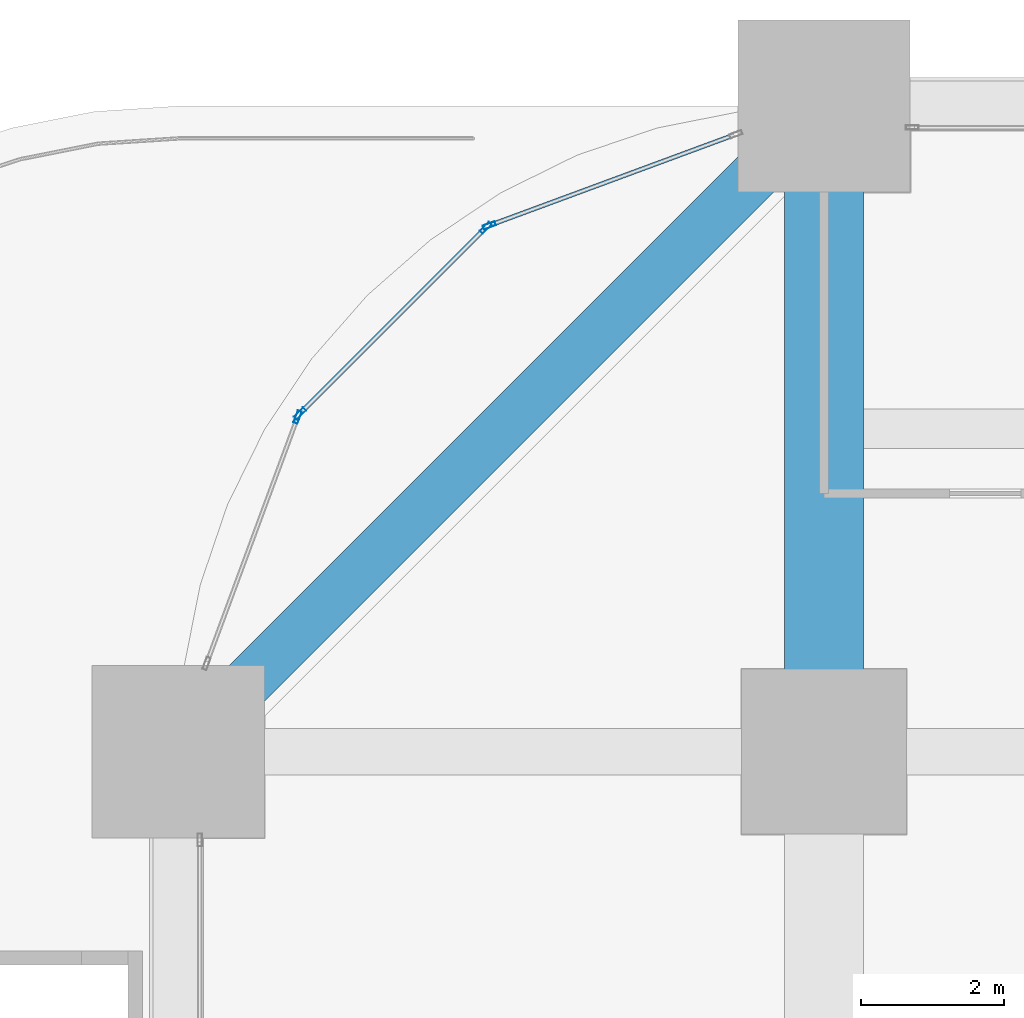
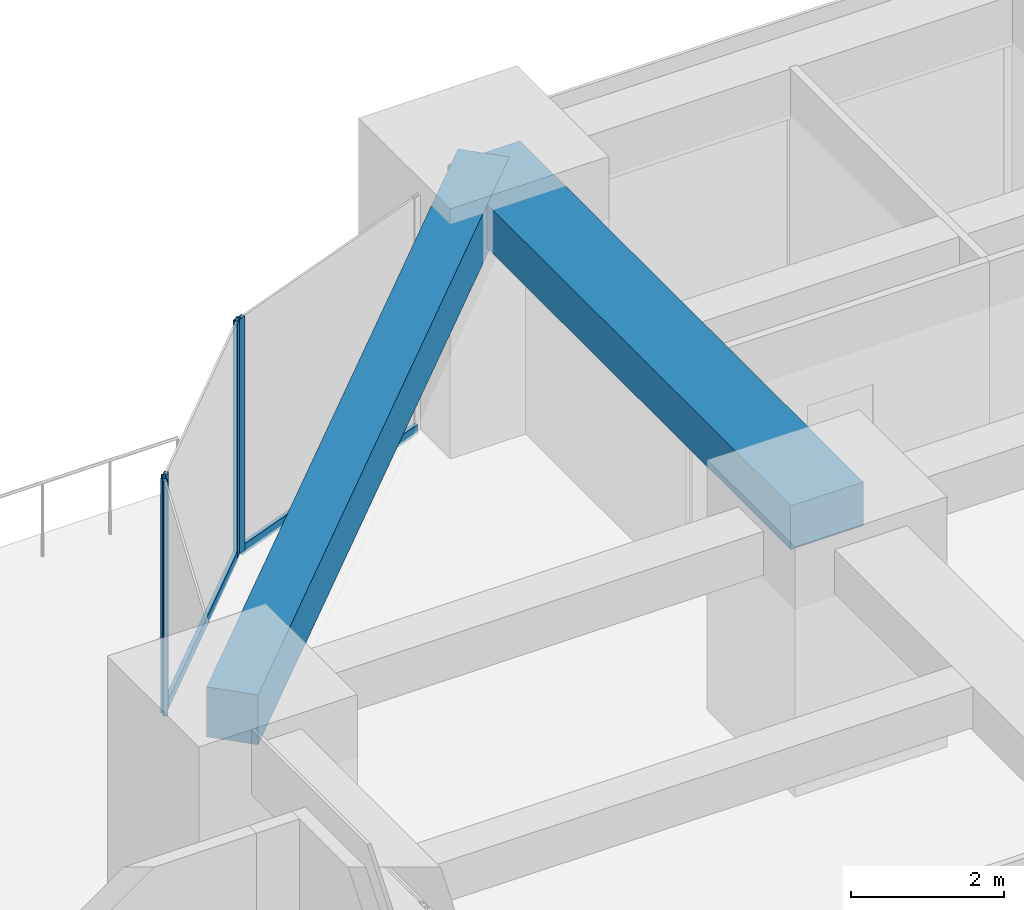
# One storey, part 17 of 38: 6 members, 2 beams, 3 elements without a shape of their own.
"""IFC4 building model written with IfcOpenShell, lengths in metres."""

from ifc_helpers import new_model, si_unit, direction, frame, origin, origin_2d, place, context, subcontext, project, spatial, rectangle, hollow_rectangle, extrude, material, material_profile, profile_set, type_object, element, aggregate, save


model = new_model("IFC4")

# Units and contexts
model_context = context("Model", 3, precision=1e-05, world=origin(), true_north=direction((0.0, 1.0)))
body_context = subcontext(model_context, "Body", "Model", "MODEL_VIEW")
ifc_project = project(units=[si_unit("LENGTHUNIT", "METRE"), si_unit("AREAUNIT", "SQUARE_METRE"), si_unit("VOLUMEUNIT", "CUBIC_METRE"), si_unit("PLANEANGLEUNIT", "RADIAN"), si_unit("MASSUNIT", "GRAM", prefix="KILO")], contexts=[model_context])

# Site, building, storey
site_placement = place(None, origin())
site = spatial("IfcSite", under=ifc_project, at=site_placement, CompositionType="ELEMENT")
building_placement = place(site_placement, origin())
building = spatial("IfcBuilding", under=site, at=building_placement, Name="Zorevar Civic Tower", CompositionType="ELEMENT")
storey_placement = place(building_placement, frame((0.0, 0.0, 15.800048828125)))
storey = spatial("IfcBuildingStorey", under=building, at=storey_placement, Name="L03", CompositionType="ELEMENT", Elevation=15.800048828125)

# Beam
ifc_material_1 = material(Name="Concrete C50/60", Category="concrete")
ifc_material_profile_1 = material_profile(ifc_material_1, rectangle(XDim=1.10009765625, YDim=0.699951171875, at=origin_2d()), Name="RC 1100x700")
ifc_profile_set_1 = profile_set([ifc_material_profile_1], Name="Concrete C50/60")
beam_type_1 = type_object("IfcBeamType", Name="Beam RC 1100x700", PredefinedType="BEAM", material=ifc_profile_set_1)
beam_1_placement = place(storey_placement, frame((9.0, 45.0, 3.39990234375), z_axis=(0.0, 1.0, 0.0), x_axis=(-1.0, 0.0, 0.0)))
element("IfcBeam", 1, at=beam_1_placement, inside=storey, type_object=beam_type_1, Name="Girder L04", PredefinedType="BEAM", context=body_context, shape_type="SweptSolid", body=[
    extrude(rectangle(XDim=1.10009765625, YDim=0.699951171875, at=origin_2d()), origin(), (0.0, 0.0, 1.0), 9.0),
])

# Curtain wall, member
ifc_material_2 = material(Name="Dark grey solar-control glass in black aluminium frame", Category="aluminium")
curtain_wall_type = type_object("IfcCurtainWallType", Name="Curtain wall CW2 low zone", PredefinedType="NOTDEFINED", material=ifc_material_2)
curtain_wall_1_placement = place(storey_placement, origin())
curtain_wall_1 = element("IfcCurtainWall", 2, at=curtain_wall_1_placement, inside=storey, type_object=curtain_wall_type, Name="CW2 L03", PredefinedType="NOTDEFINED")
ifc_material_3 = material(Name="Aluminium, black anodised", Category="aluminium")
ifc_material_profile_2 = material_profile(ifc_material_3, hollow_rectangle(XDim=0.06005859375, YDim=0.179931640625, WallThickness=0.00390625, at=origin_2d()), Name="AL 180x60x4")
ifc_profile_set_2 = profile_set([ifc_material_profile_2], Name="Aluminium, black anodised")
member_type_1 = type_object("IfcMemberType", Name="CW2 mullion AL 180x60x4", PredefinedType="MULLION", material=ifc_profile_set_2)
member_1_placement = place(storey_placement, frame((4.33544921875, 52.336181640625, 0.0), z_axis=(0.0, 0.0, 1.0), x_axis=(0.346704012033, -0.937974588163, 0.0)))
member_1 = element("IfcMember", 3, at=member_1_placement, type_object=member_type_1, Name="CW2 mullion 2", PredefinedType="MULLION", context=body_context, shape_type="SweptSolid", body=[
    extrude(hollow_rectangle(XDim=0.06005859375, YDim=0.179931640625, WallThickness=0.00390625, at=origin_2d()), origin(), (0.0, 0.0, 1.0), 3.75),
])

# Curtain wall, members
curtain_wall_2_placement = place(storey_placement, origin())
curtain_wall_2 = element("IfcCurtainWall", 4, at=curtain_wall_2_placement, inside=storey, type_object=curtain_wall_type, Name="CW2 L03", PredefinedType="NOTDEFINED")
member_2_placement = place(storey_placement, frame((4.2861328125, 52.3046875, 0.0), z_axis=(0.0, 0.0, 1.0), x_axis=(0.707106781187, -0.707106781187, 0.0)))
member_2 = element("IfcMember", 5, at=member_2_placement, type_object=member_type_1, Name="CW2 mullion 1", PredefinedType="MULLION", context=body_context, shape_type="SweptSolid", body=[
    extrude(hollow_rectangle(XDim=0.06005859375, YDim=0.179931640625, WallThickness=0.00390625, at=origin_2d()), origin(), (0.0, 0.0, 1.0), 3.75),
])
member_3_placement = place(storey_placement, frame((1.6953125, 49.7138671875, 0.0), z_axis=(0.0, 0.0, 1.0), x_axis=(0.707106781187, -0.707106781187, 0.0)))
member_3 = element("IfcMember", 6, at=member_3_placement, type_object=member_type_1, Name="CW2 mullion 2", PredefinedType="MULLION", context=body_context, shape_type="SweptSolid", body=[
    extrude(hollow_rectangle(XDim=0.06005859375, YDim=0.179931640625, WallThickness=0.00390625, at=origin_2d()), origin(), (0.0, 0.0, 1.0), 3.75),
])

# Curtain wall, member
curtain_wall_3_placement = place(storey_placement, origin())
curtain_wall_3 = element("IfcCurtainWall", 7, at=curtain_wall_3_placement, inside=storey, type_object=curtain_wall_type, Name="CW2 L03", PredefinedType="NOTDEFINED")
member_4_placement = place(storey_placement, frame((1.663818359375, 49.66455078125, 0.0), z_axis=(0.0, 0.0, 1.0), x_axis=(0.937974588163, -0.346704012033, 0.0)))
member_4 = element("IfcMember", 8, at=member_4_placement, type_object=member_type_1, Name="CW2 mullion 1", PredefinedType="MULLION", context=body_context, shape_type="SweptSolid", body=[
    extrude(hollow_rectangle(XDim=0.06005859375, YDim=0.179931640625, WallThickness=0.00390625, at=origin_2d()), origin(), (0.0, 0.0, 1.0), 3.75),
])
aggregate(curtain_wall_3, [member_4])

# Member
ifc_material_4 = material(Name="Aluminium, black anodised", Category="aluminium")
ifc_material_profile_3 = material_profile(ifc_material_4, hollow_rectangle(XDim=0.06005859375, YDim=0.14990234375, WallThickness=0.00390625, at=origin_2d()), Name="AL 150x60x4")
ifc_profile_set_3 = profile_set([ifc_material_profile_3], Name="Aluminium, black anodised")
member_type_2 = type_object("IfcMemberType", Name="CW2 transom AL 150x60x4", PredefinedType="USERDEFINED", material=ifc_profile_set_3)
member_5_placement = place(storey_placement, frame((7.74365234375, 53.595947265625, 0.030029296875), z_axis=(-0.93798635741, -0.346672169799, 0.0), x_axis=(0.346672169799, -0.93798635741, 0.0)))
member_5 = element("IfcMember", 9, at=member_5_placement, type_object=member_type_2, Name="CW2 sill transom", ObjectType="TRANSOM", PredefinedType="USERDEFINED", context=body_context, shape_type="SweptSolid", body=[
    extrude(hollow_rectangle(XDim=0.06005859375, YDim=0.14990234375, WallThickness=0.00390625, at=origin_2d()), origin(), (0.0, 0.0, 1.0), 3.603515625),
])

aggregate(curtain_wall_1, [member_1, member_5])

member_6_placement = place(storey_placement, frame((4.264892578125, 52.283447265625, 0.030029296875), z_axis=(-0.707106781187, -0.707106781187, 0.0), x_axis=(0.707106781187, -0.707106781187, 0.0)))
member_6 = element("IfcMember", 10, at=member_6_placement, type_object=member_type_2, Name="CW2 sill transom", ObjectType="TRANSOM", PredefinedType="USERDEFINED", context=body_context, shape_type="SweptSolid", body=[
    extrude(hollow_rectangle(XDim=0.06005859375, YDim=0.14990234375, WallThickness=0.00390625, at=origin_2d()), origin(), (0.0, 0.0, 1.0), 3.60400390625),
])

aggregate(curtain_wall_2, [member_2, member_3, member_6])

# Beam
ifc_material_5 = material(Name="Concrete C50/60", Category="concrete")
ifc_material_profile_4 = material_profile(ifc_material_5, rectangle(XDim=0.699951171875, YDim=0.800048828125, at=origin_2d()), Name="RC 700x800")
ifc_profile_set_4 = profile_set([ifc_material_profile_4], Name="Concrete C50/60")
beam_type_2 = type_object("IfcBeamType", Name="Edge beam RC 700x800", PredefinedType="SPANDREL", material=ifc_profile_set_4)
beam_2_placement = place(storey_placement, frame((9.0, 54.0, 3.349853515625), z_axis=(-0.707106781187, -0.707106781187, 0.0), x_axis=(0.707106781187, -0.707106781187, 0.0)))
element("IfcBeam", 11, at=beam_2_placement, inside=storey, type_object=beam_type_2, Name="Corner edge beam L04", PredefinedType="SPANDREL", context=body_context, shape_type="SweptSolid", body=[
    extrude(rectangle(XDim=0.699951171875, YDim=0.800048828125, at=origin_2d()), origin(), (0.0, 0.0, 1.0), 12.72802734375),
])

save(model, "model.ifc")
